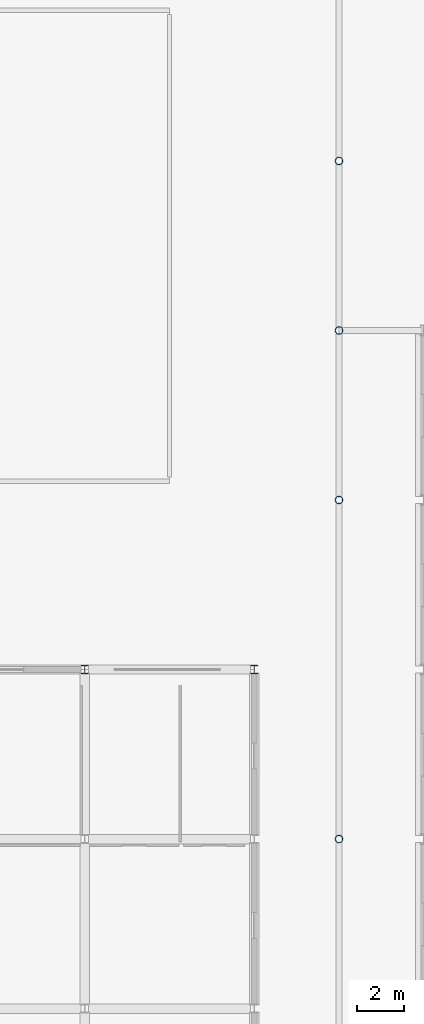
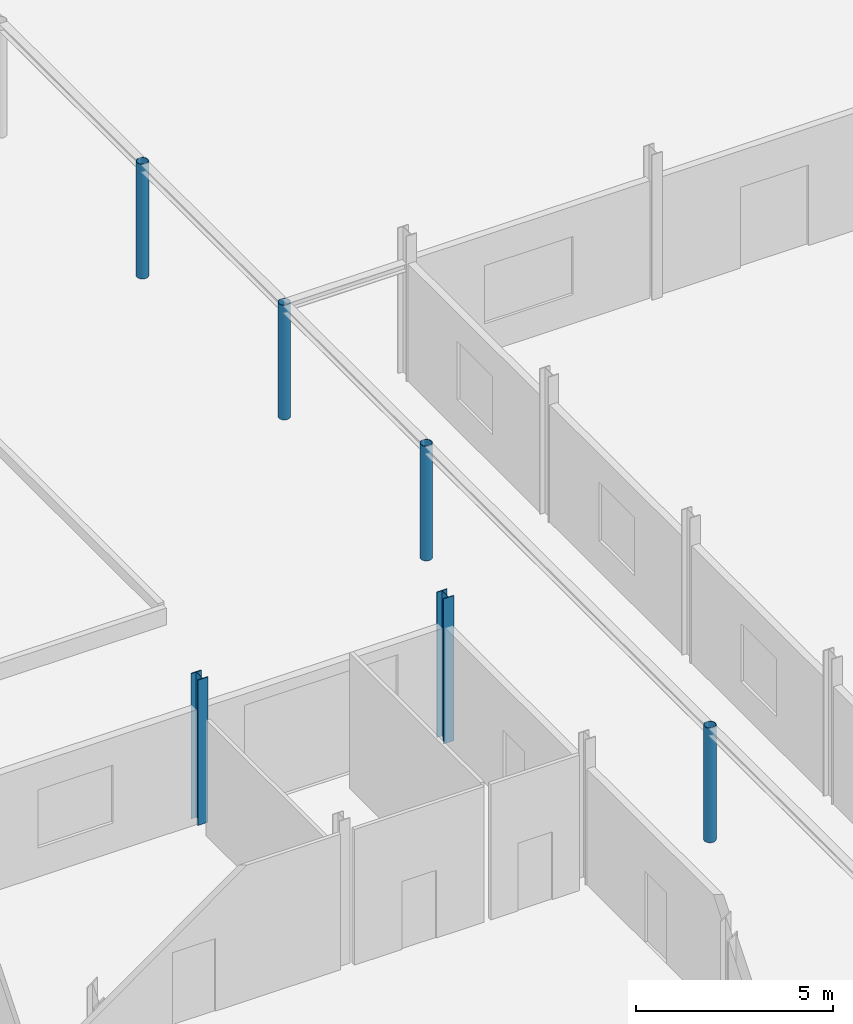
# One storey, part 9 of 139: 6 columns.
"""IFC4 building model written with IfcOpenShell, lengths in metres."""

import ifcopenshell
import ifcopenshell.guid

model = None  # the IFC model being written
_history = None  # IfcOwnerHistory: only IFC2X3 demands one
_inside = {}  # id of a spatial element -> (the spatial element, [elements in it])
_under = {}  # id of a project, library or spatial element -> (it, [spatial elements below it])
_declared = {}  # id of a project -> (the project, [libraries it declares])
_typed = {}  # id of a type object -> (the type object, [elements of that type])
_made_of = {}  # id of a material, layer set ... -> (it, [elements and type objects made of it])


def new_model(schema):
    """Start an empty IFC model of exactly this schema.

    Asked for "IFC4X3", IfcOpenShell would pick the latest addendum, in which some entities
    have other attributes; the version numbers below select the first issue.
    IFC2X3 requires an IfcOwnerHistory on every rooted entity: one is made here for all.
    """
    global model, _history
    if schema == "IFC4X3":
        model = ifcopenshell.file(schema_version=(4, 3, 0, 0))
    else:
        model = ifcopenshell.file(schema=schema)
    _inside.clear()
    _under.clear()
    _declared.clear()
    _typed.clear()
    _made_of.clear()
    _history = None
    if model.schema == "IFC2X3":
        org = make("IfcOrganization", Name="unknown")
        user = make(
            "IfcPersonAndOrganization",
            ThePerson=make("IfcPerson", FamilyName="unknown"),
            TheOrganization=org,
        )
        app = make(
            "IfcApplication",
            ApplicationDeveloper=org,
            Version="unknown",
            ApplicationFullName="unknown",
            ApplicationIdentifier="unknown",
        )
        _history = make(
            "IfcOwnerHistory",
            OwningUser=user,
            OwningApplication=app,
            ChangeAction="ADDED",
            CreationDate=0,
        )
    return model


def make(cls, **values):
    """One entity of the class cls with the attributes given. An attribute that is None is left unset."""
    return model.create_entity(
        cls, **{name: value for name, value in values.items() if value is not None}
    )


def rooted(cls, **values):
    """An entity with a GlobalId (a new one), such as an element, a storey or a relation."""
    return make(cls, GlobalId=ifcopenshell.guid.new(), OwnerHistory=_history, **values)


def si_unit(unit_type, name, prefix=None):
    """IfcSIUnit, for example si_unit("LENGTHUNIT", "METRE", prefix="MILLI")."""
    return make("IfcSIUnit", UnitType=unit_type, Prefix=prefix, Name=name)


def assignment(units):
    """IfcUnitAssignment: the units of a project."""
    return None if units is None else make("IfcUnitAssignment", Units=units)


def point(xyz):
    """IfcCartesianPoint."""
    return None if xyz is None else make("IfcCartesianPoint", Coordinates=xyz)


def direction(xyz):
    """IfcDirection."""
    return None if xyz is None else make("IfcDirection", DirectionRatios=xyz)


def frame(location, z_axis=None, x_axis=None):
    """IfcAxis2Placement3D, a coordinate frame: its origin and axes. An axis left out is left unset."""
    return make(
        "IfcAxis2Placement3D",
        Location=point(location),
        Axis=direction(z_axis),
        RefDirection=direction(x_axis),
    )


def frame_2d(location, x_axis=None):
    """IfcAxis2Placement2D, a coordinate frame in the plane: its origin and x axis."""
    return make(
        "IfcAxis2Placement2D", Location=point(location), RefDirection=direction(x_axis)
    )


def origin():
    """The frame at (0, 0, 0) with its axes left unset."""
    return frame((0.0, 0.0, 0.0))


def origin_2d():
    """The frame at (0, 0) in the plane with its x axis left unset."""
    return frame_2d((0.0, 0.0))


def place(relative_to, where):
    """IfcLocalPlacement: puts the frame where relative to a parent placement (None: the world)."""
    return make(
        "IfcLocalPlacement", PlacementRelTo=relative_to, RelativePlacement=where
    )


def context(
    kind, dimensions, precision=None, world=None, true_north=None, identifier=None
):
    """IfcGeometricRepresentationContext, for example the 3D "Model" context."""
    return make(
        "IfcGeometricRepresentationContext",
        ContextIdentifier=identifier,
        ContextType=kind,
        CoordinateSpaceDimension=dimensions,
        Precision=precision,
        WorldCoordinateSystem=world,
        TrueNorth=true_north,
    )


def subcontext(parent, identifier, kind, view, scale=None):
    """IfcGeometricRepresentationSubContext, for example "Body" below "Model"."""
    return make(
        "IfcGeometricRepresentationSubContext",
        ContextIdentifier=identifier,
        ContextType=kind,
        ParentContext=parent,
        TargetScale=scale,
        TargetView=view,
    )


def project(units=None, contexts=None):
    """IfcProject with its units and contexts."""
    return rooted(
        "IfcProject",
        Name="project",
        RepresentationContexts=contexts,
        UnitsInContext=assignment(units),
    )


def spatial(cls, under=None, at=None, **own):
    """A site, building, storey or space (cls), placed at a placement, below another one or the project."""
    s = rooted(cls, ObjectPlacement=at, **own)
    if under is not None:
        _under.setdefault(under.id(), (under, []))[1].append(s)
    return s


def profile(cls, at=None, kind="AREA", **sizes):
    """A parametric profile (cls). Its sizes go by their IFC names, for example OverallWidth=200.0."""
    return make(cls, ProfileType=kind, Position=at, **sizes)


def hollow_circle(**sizes):
    """IfcCircleHollowProfileDef."""
    return profile("IfcCircleHollowProfileDef", **sizes)


def i_section(**sizes):
    """IfcIShapeProfileDef."""
    return profile("IfcIShapeProfileDef", **sizes)


def extrude(swept, where, along, depth):
    """IfcExtrudedAreaSolid: the profile swept, set in the frame where, extruded along a direction by depth."""
    return make(
        "IfcExtrudedAreaSolid",
        SweptArea=swept,
        Position=where,
        ExtrudedDirection=direction(along),
        Depth=depth,
    )


def shape(context_of_items, identifier, shape_type, items):
    """IfcShapeRepresentation: the items that make up one representation, for example the "Body"."""
    return make(
        "IfcShapeRepresentation",
        ContextOfItems=context_of_items,
        RepresentationIdentifier=identifier,
        RepresentationType=shape_type,
        Items=items,
    )


def material(Name=None, Category=None):
    """IfcMaterial."""
    return make("IfcMaterial", Name=Name, Category=Category)


def material_profile(
    of_material, cross_section, Name=None, Category=None, Priority=None
):
    """IfcMaterialProfile: a cross section and its material."""
    return make(
        "IfcMaterialProfile",
        Name=Name,
        Material=of_material,
        Profile=cross_section,
        Priority=Priority,
        Category=Category,
    )


def profile_set(profiles, Name=None, composite=None):
    """IfcMaterialProfileSet."""
    return make(
        "IfcMaterialProfileSet",
        Name=Name,
        MaterialProfiles=profiles,
        CompositeProfile=composite,
    )


def made_of(thing, what):
    """Note that an element or type object is made of a material, layer set ...; save() writes the relation."""
    if what is not None:
        _made_of.setdefault(what.id(), (what, []))[1].append(thing)
    return thing


def type_object(cls, material=None, **own):
    """A type object (cls), such as IfcWallType, which elements share."""
    return made_of(rooted(cls, **own), material)


def element(
    cls,
    number,
    at=None,
    inside=None,
    cuts=None,
    type_object=None,
    material=None,
    context=None,
    identifier="Body",
    shape_type=None,
    held_by="IfcProductDefinitionShape",
    body=None,
    shapes=None,
    **own,
):
    """One element of the class cls, such as IfcWall. Its Tag is "e" and its number.

    at: its placement. inside: the storey or other place that contains it. cuts: it is an
    opening in that element (IfcRelVoidsElement). A single representation is given by context,
    identifier, shape_type and body (its items); several are given by shapes. held_by: the class
    of the entity that holds the representations. save() writes the other relations.
    """
    e = rooted(cls, Tag="e%d" % number, ObjectPlacement=at, **own)
    if body is not None:
        shapes = [shape(context, identifier, shape_type, body)]
    if shapes is not None:
        e.Representation = make(held_by, Representations=shapes)
    if inside is not None:
        _inside.setdefault(inside.id(), (inside, []))[1].append(e)
    if cuts is not None:
        rooted(
            "IfcRelVoidsElement", RelatingBuildingElement=cuts, RelatedOpeningElement=e
        )
    if type_object is not None:
        _typed.setdefault(type_object.id(), (type_object, []))[1].append(e)
    return made_of(e, material)


def aggregate(whole, parts):
    """IfcRelAggregates: a whole, such as a stair, and the parts it consists of."""
    return rooted("IfcRelAggregates", RelatingObject=whole, RelatedObjects=parts)


def save(model, path):
    """Write the relations noted so far, then the file.

    IfcRelAggregates (storeys below a building ...), IfcRelContainedInSpatialStructure (elements
    in a storey), IfcRelDefinesByType, IfcRelAssociatesMaterial and IfcRelDeclares: one each for
    every whole, place, type object, material and project.
    """
    for whole, parts in _under.values():
        aggregate(whole, parts)
    for where, things in _inside.values():
        rooted(
            "IfcRelContainedInSpatialStructure",
            RelatedElements=things,
            RelatingStructure=where,
        )
    for kind, things in _typed.values():
        rooted("IfcRelDefinesByType", RelatedObjects=things, RelatingType=kind)
    for what, things in _made_of.values():
        rooted("IfcRelAssociatesMaterial", RelatedObjects=things, RelatingMaterial=what)
    for by, libraries in _declared.values():
        rooted("IfcRelDeclares", RelatingContext=by, RelatedDefinitions=libraries)
    model.write(path)


model = new_model("IFC4")

# Units and contexts
model_context = context("Model", 3, precision=1e-05, world=origin(), true_north=direction((0.0, 1.0)))
body_context = subcontext(model_context, "Body", "Model", "MODEL_VIEW")
ifc_project = project(units=[si_unit("LENGTHUNIT", "METRE"), si_unit("AREAUNIT", "SQUARE_METRE"), si_unit("VOLUMEUNIT", "CUBIC_METRE"), si_unit("PLANEANGLEUNIT", "RADIAN"), si_unit("MASSUNIT", "GRAM", prefix="KILO")], contexts=[model_context])

# Site, building, storey
site_placement = place(None, origin())
site = spatial("IfcSite", under=ifc_project, at=site_placement, CompositionType="ELEMENT")
building_placement = place(site_placement, origin())
building = spatial("IfcBuilding", under=site, at=building_placement, Name="Suanplinth Sawtooth Commons", CompositionType="ELEMENT")
storey_placement = place(building_placement, origin())
storey = spatial("IfcBuildingStorey", under=building, at=storey_placement, Name="L00", CompositionType="ELEMENT", Elevation=0.0)

# Columns
ifc_material = material(Name="Steel S355JR", Category="steel")
ifc_material_profile_1 = material_profile(ifc_material, i_section(OverallWidth=0.300048828125, OverallDepth=0.360107421875, WebThickness=0.012451171875, FlangeThickness=0.0224609375, at=origin_2d()), Name="HEB 360")
ifc_profile_set_1 = profile_set([ifc_material_profile_1], Name="Steel S355JR")
column_type_1 = type_object("IfcColumnType", Name="C-10", PredefinedType="COLUMN", material=ifc_profile_set_1)
for number, where, z_axis, x_axis, name in (
    (1, (50.39990234375, 72.0, 0.0), (0.0, 0.0, 1.0), (1.0, 0.0, 0.0), "Column L00 8/L"),
    (2, (57.60009765625, 72.0, 0.0), (0.0, 0.0, 1.0), (1.0, 0.0, 0.0), "Column L00 9/L"),
):
    element("IfcColumn", number, at=place(storey_placement, frame(where, z_axis=z_axis, x_axis=x_axis)), inside=storey, type_object=column_type_1, Name=name, PredefinedType="COLUMN", context=body_context, shape_type="SweptSolid", body=[
        extrude(i_section(OverallWidth=0.300048828125, OverallDepth=0.360107421875, WebThickness=0.012451171875, FlangeThickness=0.0224609375, at=origin_2d()), origin(), (0.0, 0.0, 1.0), 4.5),
    ])
ifc_material_profile_2 = material_profile(ifc_material, hollow_circle(Radius=0.161865234375, WallThickness=0.012451171875, at=origin_2d()), Name="CHS 323.9x12.5")
ifc_profile_set_2 = profile_set([ifc_material_profile_2], Name="Steel S355JR")
column_type_2 = type_object("IfcColumnType", Name="C-12", PredefinedType="COLUMN", material=ifc_profile_set_2)
for number, where, z_axis, x_axis, name in (
    (3, (61.199951171875, 64.800048828125, 0.0), (0.0, 0.0, 1.0), (1.0, 0.0, 0.0), "West Breezeway Canopy Column W7"),
    (4, (61.199951171875, 79.199951171875, 0.0), (0.0, 0.0, 1.0), (1.0, 0.0, 0.0), "West Breezeway Canopy Column W8"),
    (5, (61.199951171875, 86.39990234375, 0.0), (0.0, 0.0, 1.0), (1.0, 0.0, 0.0), "West Breezeway Canopy Column W9"),
    (6, (61.199951171875, 93.60009765625, 0.0), (0.0, 0.0, 1.0), (1.0, 0.0, 0.0), "West Breezeway Canopy Column W10"),
):
    element("IfcColumn", number, at=place(storey_placement, frame(where, z_axis=z_axis, x_axis=x_axis)), inside=storey, type_object=column_type_2, Name=name, PredefinedType="COLUMN", context=body_context, shape_type="SweptSolid", body=[
        extrude(hollow_circle(Radius=0.161865234375, WallThickness=0.012451171875, at=origin_2d()), origin(), (0.0, 0.0, 1.0), 3.550048828125),
    ])

save(model, "model.ifc")
